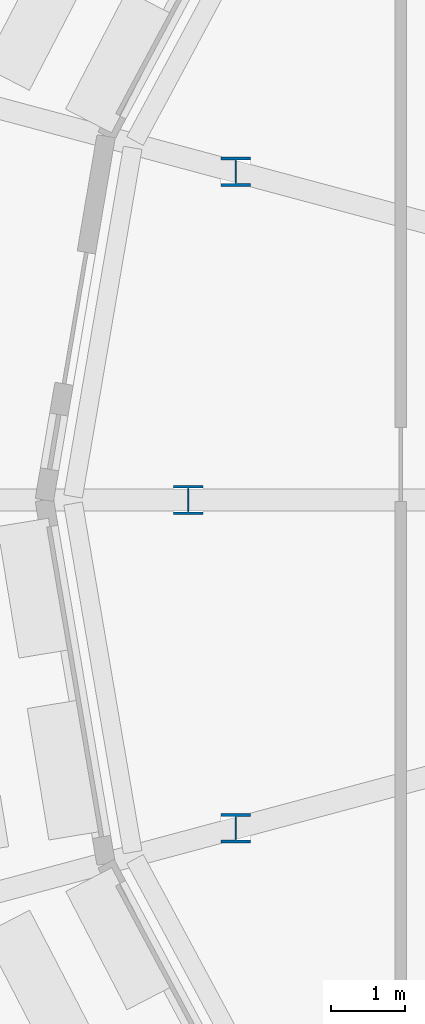
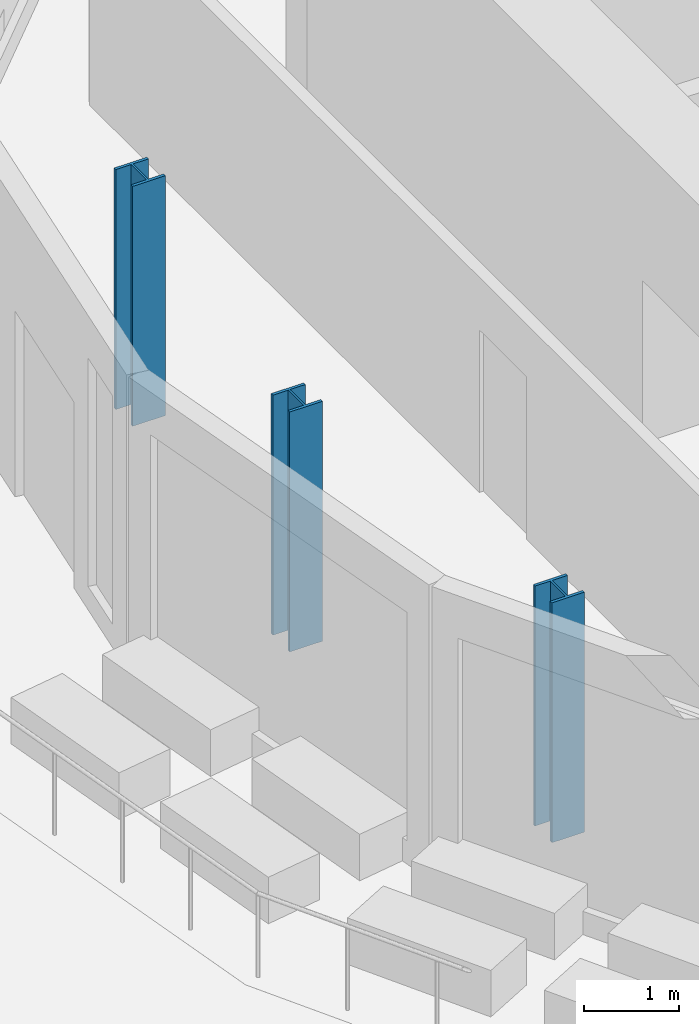
# One storey, part 1 of 47: 3 columns.
"""IFC4 building model written with IfcOpenShell, lengths in metres."""

from ifc_helpers import new_model, si_unit, direction, frame, origin, origin_2d, place, context, subcontext, project, spatial, i_section, extrude, material, material_profile, profile_set, type_object, element, save


model = new_model("IFC4")

# Units and contexts
model_context = context("Model", 3, precision=1e-05, world=origin(), true_north=direction((0.0, 1.0)))
body_context = subcontext(model_context, "Body", "Model", "MODEL_VIEW")
ifc_project = project(units=[si_unit("LENGTHUNIT", "METRE"), si_unit("AREAUNIT", "SQUARE_METRE"), si_unit("VOLUMEUNIT", "CUBIC_METRE"), si_unit("PLANEANGLEUNIT", "RADIAN"), si_unit("MASSUNIT", "GRAM", prefix="KILO")], contexts=[model_context])

# Site, building, storey
site_placement = place(None, origin())
site = spatial("IfcSite", under=ifc_project, at=site_placement, CompositionType="ELEMENT")
building_placement = place(site_placement, origin())
building = spatial("IfcBuilding", under=site, at=building_placement, Name="Rimbun Link Towers", CompositionType="ELEMENT")
storey_placement = place(building_placement, frame((0.0, 0.0, 30.0)))
storey = spatial("IfcBuildingStorey", under=building, at=storey_placement, Name="L06", CompositionType="ELEMENT", Elevation=30.0)

# Columns
ifc_material = material(Name="Steel S355J2", Category="steel")
ifc_material_profile = material_profile(ifc_material, i_section(OverallWidth=0.39892578125, OverallDepth=0.3935546875, WebThickness=0.022705078125, FlangeThickness=0.03662109375, at=origin_2d()), Name="UC 356x406x287")
ifc_profile_set = profile_set([ifc_material_profile], Name="Steel S355J2")
column_type = type_object("IfcColumnType", Name="UC 356x406x287", PredefinedType="COLUMN", material=ifc_profile_set)
for number, where, z_axis, x_axis, name in (
    (1, (-48.30322265625, 4.435302734375, -0.300048828125), (0.0, 0.0, 1.0), (1.0, 0.0, 0.0), "Crease post T1 L06 11"),
    (2, (-48.945556640625, 0.0, -0.300048828125), (0.0, 0.0, 1.0), (1.0, 0.0, 0.0), "Crease post T1 L06 12"),
    (3, (-48.30322265625, -4.435302734375, -0.300048828125), (0.0, 0.0, 1.0), (1.0, 0.0, 0.0), "Crease post T1 L06 13"),
):
    element("IfcColumn", number, at=place(storey_placement, frame(where, z_axis=z_axis, x_axis=x_axis)), inside=storey, type_object=column_type, Name=name, PredefinedType="COLUMN", context=body_context, shape_type="SweptSolid", body=[
        extrude(i_section(OverallWidth=0.39892578125, OverallDepth=0.3935546875, WebThickness=0.022705078125, FlangeThickness=0.03662109375, at=origin_2d()), origin(), (0.0, 0.0, 1.0), 3.099365234375),
    ])

save(model, "model.ifc")
